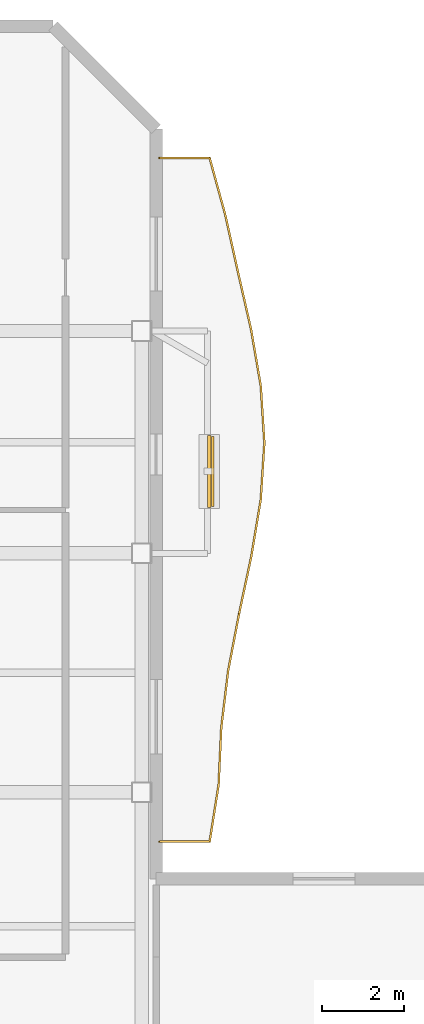
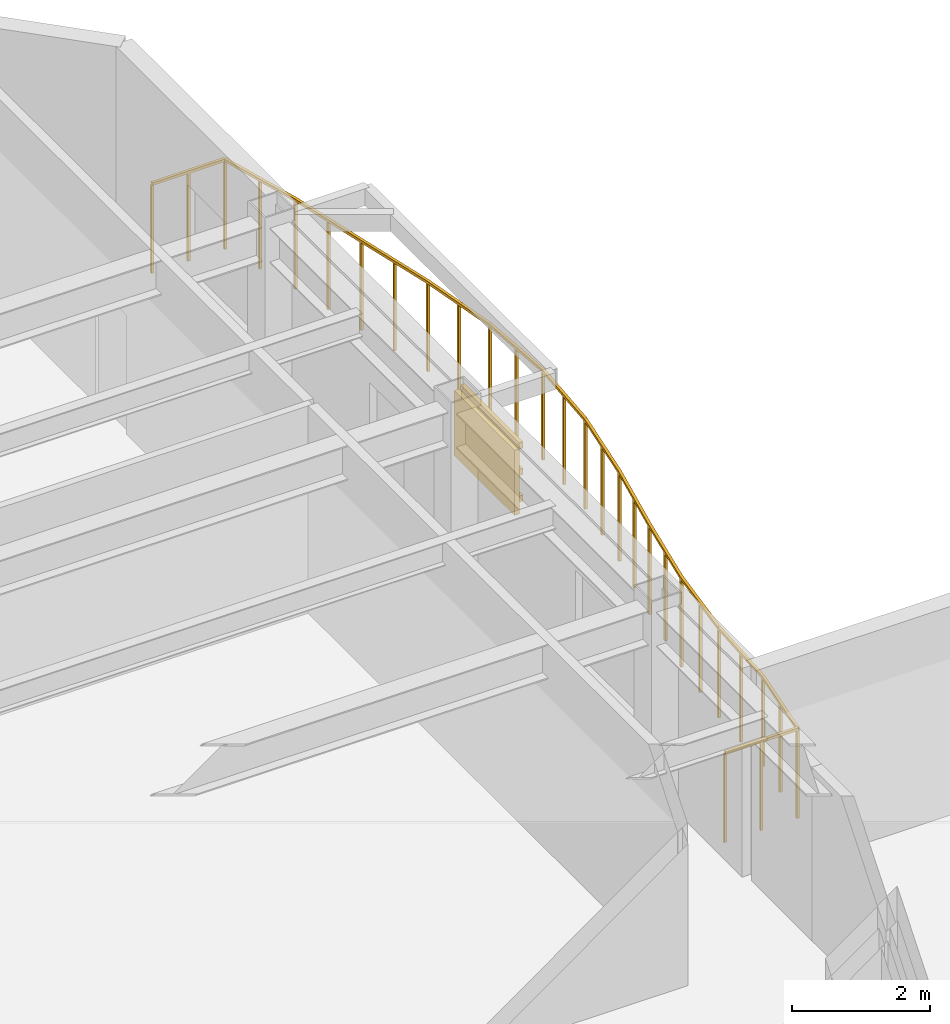
# One storey, part 9 of 9: 4 shading devices, 1 railing.
"""IFC4 building model written with IfcOpenShell, lengths in metres."""

from ifc_helpers import new_model, si_unit, direction, frame, origin, origin_2d, place, context, subcontext, project, spatial, rectangle, extrude, material, layer, layer_set, material_profile, profile_set, type_object, element, save


model = new_model("IFC4")

# Units and contexts
model_context = context("Model", 3, precision=1e-05, world=origin(), true_north=direction((0.0, 1.0)))
body_context = subcontext(model_context, "Body", "Model", "MODEL_VIEW")
ifc_project = project(units=[si_unit("LENGTHUNIT", "METRE"), si_unit("AREAUNIT", "SQUARE_METRE"), si_unit("VOLUMEUNIT", "CUBIC_METRE"), si_unit("PLANEANGLEUNIT", "RADIAN"), si_unit("MASSUNIT", "GRAM", prefix="KILO")], contexts=[model_context])

# Site, building, storey
site_placement = place(None, origin())
site = spatial("IfcSite", under=ifc_project, at=site_placement, CompositionType="ELEMENT")
building_placement = place(site_placement, origin())
building = spatial("IfcBuilding", under=site, at=building_placement, Name="Mawjaban Terraces University", CompositionType="ELEMENT")
storey_placement = place(building_placement, frame((0.0, 0.0, 126.800048828125)))
storey = spatial("IfcBuildingStorey", under=building, at=storey_placement, Name="L30", CompositionType="ELEMENT", Elevation=126.800048828125)

# Railing
ifc_material_1 = material(Name="Galvanised powder-coated steel S355", Category="steel")
railing_type = type_object("IfcRailingType", Name="BalconyBalustrade_1600", PredefinedType="BALUSTRADE", material=ifc_material_1)
railing_placement = place(storey_placement, frame((38.080078125, 28.800048828125, 0.0)))
element("IfcRailing", 1, at=railing_placement, inside=storey, type_object=railing_type, Name="L30 Balcony Guardrail inner_east", PredefinedType="BALUSTRADE", context=body_context, shape_type="SweptSolid", body=[
    extrude(rectangle(XDim=0.048095703125, YDim=0.048095703125, at=origin_2d()), frame((0.0, 0.0, 1.576171875), z_axis=(1.0, 0.0, 0.0), x_axis=(0.0, 1.0, 0.0)), (0.0, 0.0, 1.0), 1.219970703125),
    extrude(rectangle(XDim=0.048095703125, YDim=0.048095703125, at=origin_2d()), frame((1.219970703125, 0.0, 1.576171875), z_axis=(0.156392308887, 0.987695016552, 0.0), x_axis=(-0.987695016552, 0.156392308887, 0.0)), (0.0, 0.0, 1.0), 1.400390625),
    extrude(rectangle(XDim=0.048095703125, YDim=0.048095703125, at=origin_2d()), frame((1.43896484375, 1.383056640625, 1.576171875), z_axis=(0.046175112999, 0.99893336061, 0.0), x_axis=(-0.99893336061, 0.046175112999, 0.0)), (0.0, 0.0, 1.0), 1.38525390625),
    extrude(rectangle(XDim=0.048095703125, YDim=0.048095703125, at=origin_2d()), frame((1.5029296875, 2.766845703125, 1.576171875), z_axis=(0.119870788865, 0.992789501343, 0.0), x_axis=(-0.992789501343, 0.119870788865, 0.0)), (0.0, 0.0, 1.0), 1.39306640625),
    extrude(rectangle(XDim=0.048095703125, YDim=0.048095703125, at=origin_2d()), frame((1.669921875, 4.14990234375, 1.576171875), z_axis=(0.188107853419, 0.982148377529, 0.0), x_axis=(-0.982148377529, 0.188107853419, 0.0)), (0.0, 0.0, 1.0), 1.408203125),
    extrude(rectangle(XDim=0.048095703125, YDim=0.048095703125, at=origin_2d()), frame((1.934814453125, 5.532958984375, 1.576171875), z_axis=(0.208574667997, 0.97800644572, 0.0), x_axis=(-0.97800644572, 0.208574667997, 0.0)), (0.0, 0.0, 1.0), 1.4150390625),
    extrude(rectangle(XDim=0.048095703125, YDim=0.048095703125, at=origin_2d()), frame((2.22998046875, 6.9169921875, 1.576171875), z_axis=(0.164709556573, 0.986342112035, 0.0), x_axis=(-0.986342112035, 0.164709556573, 0.0)), (0.0, 0.0, 1.0), 1.402099609375),
    extrude(rectangle(XDim=0.048095703125, YDim=0.048095703125, at=origin_2d()), frame((2.4609375, 8.300048828125, 1.576171875), z_axis=(0.064133236153, 0.99794134498, 0.0), x_axis=(-0.99794134498, 0.064133236153, 0.0)), (0.0, 0.0, 1.0), 1.3857421875),
    extrude(rectangle(XDim=0.048095703125, YDim=0.048095703125, at=origin_2d()), frame((2.5498046875, 9.682861328125, 1.576171875), z_axis=(-0.063375605657, 0.997989745743, 0.0), x_axis=(-0.997989745743, -0.063375605657, 0.0)), (0.0, 0.0, 1.0), 1.38671875),
    extrude(rectangle(XDim=0.048095703125, YDim=0.048095703125, at=origin_2d()), frame((2.4619140625, 11.06689453125, 1.576171875), z_axis=(-0.16961562862, 0.985510293466, 0.0), x_axis=(-0.985510293466, -0.16961562862, 0.0)), (0.0, 0.0, 1.0), 1.4033203125),
    extrude(rectangle(XDim=0.048095703125, YDim=0.048095703125, at=origin_2d()), frame((2.223876953125, 12.449951171875, 1.576171875), z_axis=(-0.222684617175, 0.974890538098, 0.0), x_axis=(-0.974890538098, -0.222684617175, 0.0)), (0.0, 0.0, 1.0), 1.418701171875),
    extrude(rectangle(XDim=0.048095703125, YDim=0.048095703125, at=origin_2d()), frame((1.907958984375, 13.8330078125, 1.576171875), z_axis=(-0.216638706116, 0.976251848148, 0.0), x_axis=(-0.976251848148, -0.216638706116, 0.0)), (0.0, 0.0, 1.0), 1.417724609375),
    extrude(rectangle(XDim=0.048095703125, YDim=0.048095703125, at=origin_2d()), frame((1.600830078125, 15.217041015625, 1.576171875), z_axis=(-0.265536257751, 0.964100874297, 0.0), x_axis=(-0.964100874297, -0.265536257751, 0.0)), (0.0, 0.0, 1.0), 1.434326171875),
    extrude(rectangle(XDim=0.048095703125, YDim=0.048095703125, at=origin_2d()), frame((1.219970703125, 16.599853515625, 1.576171875), z_axis=(-1.0, 0.0, 0.0), x_axis=(0.0, -1.0, 0.0)), (0.0, 0.0, 1.0), 1.219970703125),
    extrude(rectangle(XDim=0.0419921875, YDim=0.0419921875, at=origin_2d()), origin(), (0.0, 0.0, 1.0), 1.552001953125),
    extrude(rectangle(XDim=0.0419921875, YDim=0.0419921875, at=origin_2d()), frame((0.60986328125, 0.0, 0.0)), (0.0, 0.0, 1.0), 1.552001953125),
    extrude(rectangle(XDim=0.0419921875, YDim=0.0419921875, at=origin_2d()), frame((1.219970703125, 0.0, 0.0)), (0.0, 0.0, 1.0), 1.552001953125),
    extrude(rectangle(XDim=0.0419921875, YDim=0.0419921875, at=origin_2d()), frame((1.32958984375, 0.69140625, 0.0)), (0.0, 0.0, 1.0), 1.552001953125),
    extrude(rectangle(XDim=0.0419921875, YDim=0.0419921875, at=origin_2d()), frame((1.43896484375, 1.383056640625, 0.0)), (0.0, 0.0, 1.0), 1.552001953125),
    extrude(rectangle(XDim=0.0419921875, YDim=0.0419921875, at=origin_2d()), frame((1.470947265625, 2.074951171875, 0.0)), (0.0, 0.0, 1.0), 1.552001953125),
    extrude(rectangle(XDim=0.0419921875, YDim=0.0419921875, at=origin_2d()), frame((1.5029296875, 2.766845703125, 0.0)), (0.0, 0.0, 1.0), 1.552001953125),
    extrude(rectangle(XDim=0.0419921875, YDim=0.0419921875, at=origin_2d()), frame((1.58642578125, 3.45849609375, 0.0)), (0.0, 0.0, 1.0), 1.552001953125),
    extrude(rectangle(XDim=0.0419921875, YDim=0.0419921875, at=origin_2d()), frame((1.669921875, 4.14990234375, 0.0)), (0.0, 0.0, 1.0), 1.552001953125),
    extrude(rectangle(XDim=0.0419921875, YDim=0.0419921875, at=origin_2d()), frame((1.80224609375, 4.84130859375, 0.0)), (0.0, 0.0, 1.0), 1.552001953125),
    extrude(rectangle(XDim=0.0419921875, YDim=0.0419921875, at=origin_2d()), frame((1.934814453125, 5.532958984375, 0.0)), (0.0, 0.0, 1.0), 1.552001953125),
    extrude(rectangle(XDim=0.0419921875, YDim=0.0419921875, at=origin_2d()), frame((2.08251953125, 6.22509765625, 0.0)), (0.0, 0.0, 1.0), 1.552001953125),
    extrude(rectangle(XDim=0.0419921875, YDim=0.0419921875, at=origin_2d()), frame((2.22998046875, 6.9169921875, 0.0)), (0.0, 0.0, 1.0), 1.552001953125),
    extrude(rectangle(XDim=0.0419921875, YDim=0.0419921875, at=origin_2d()), frame((2.345458984375, 7.6083984375, 0.0)), (0.0, 0.0, 1.0), 1.552001953125),
    extrude(rectangle(XDim=0.0419921875, YDim=0.0419921875, at=origin_2d()), frame((2.4609375, 8.300048828125, 0.0)), (0.0, 0.0, 1.0), 1.552001953125),
    extrude(rectangle(XDim=0.0419921875, YDim=0.0419921875, at=origin_2d()), frame((2.50537109375, 8.991455078125, 0.0)), (0.0, 0.0, 1.0), 1.552001953125),
    extrude(rectangle(XDim=0.0419921875, YDim=0.0419921875, at=origin_2d()), frame((2.5498046875, 9.682861328125, 0.0)), (0.0, 0.0, 1.0), 1.552001953125),
    extrude(rectangle(XDim=0.0419921875, YDim=0.0419921875, at=origin_2d()), frame((2.505859375, 10.375, 0.0)), (0.0, 0.0, 1.0), 1.552001953125),
    extrude(rectangle(XDim=0.0419921875, YDim=0.0419921875, at=origin_2d()), frame((2.4619140625, 11.06689453125, 0.0)), (0.0, 0.0, 1.0), 1.552001953125),
    extrude(rectangle(XDim=0.0419921875, YDim=0.0419921875, at=origin_2d()), frame((2.3427734375, 11.75830078125, 0.0)), (0.0, 0.0, 1.0), 1.552001953125),
    extrude(rectangle(XDim=0.0419921875, YDim=0.0419921875, at=origin_2d()), frame((2.223876953125, 12.449951171875, 0.0)), (0.0, 0.0, 1.0), 1.552001953125),
    extrude(rectangle(XDim=0.0419921875, YDim=0.0419921875, at=origin_2d()), frame((2.06591796875, 13.1416015625, 0.0)), (0.0, 0.0, 1.0), 1.552001953125),
    extrude(rectangle(XDim=0.0419921875, YDim=0.0419921875, at=origin_2d()), frame((1.907958984375, 13.8330078125, 0.0)), (0.0, 0.0, 1.0), 1.552001953125),
    extrude(rectangle(XDim=0.0419921875, YDim=0.0419921875, at=origin_2d()), frame((1.75439453125, 14.52490234375, 0.0)), (0.0, 0.0, 1.0), 1.552001953125),
    extrude(rectangle(XDim=0.0419921875, YDim=0.0419921875, at=origin_2d()), frame((1.600830078125, 15.217041015625, 0.0)), (0.0, 0.0, 1.0), 1.552001953125),
    extrude(rectangle(XDim=0.0419921875, YDim=0.0419921875, at=origin_2d()), frame((1.410400390625, 15.908447265625, 0.0)), (0.0, 0.0, 1.0), 1.552001953125),
    extrude(rectangle(XDim=0.0419921875, YDim=0.0419921875, at=origin_2d()), frame((1.219970703125, 16.599853515625, 0.0)), (0.0, 0.0, 1.0), 1.552001953125),
    extrude(rectangle(XDim=0.0419921875, YDim=0.0419921875, at=origin_2d()), frame((0.60986328125, 16.599853515625, 0.0)), (0.0, 0.0, 1.0), 1.552001953125),
    extrude(rectangle(XDim=0.0419921875, YDim=0.0419921875, at=origin_2d()), frame((0.0, 16.599853515625, 0.0)), (0.0, 0.0, 1.0), 1.552001953125),
])

# Shading devices
ifc_material_2 = material(Name="Glazed architectural terracotta ceramic", Category="masonry")
ifc_material_profile = material_profile(ifc_material_2, rectangle(XDim=0.06494140625, YDim=0.110107421875, at=origin_2d()), Name="TBAG110X65")
ifc_profile_set = profile_set([ifc_material_profile], Name="Glazed architectural terracotta ceramic")
shading_device_type_1 = type_object("IfcShadingDeviceType", Name="TerracottaBaguette_110x65", PredefinedType="USERDEFINED", material=ifc_profile_set)
for number, where, z_axis, x_axis, name in (
    (2, (39.373046875, 36.94091796875, 0.679931640625), (0.0, 1.0, 0.0), (-1.0, 0.0, 0.0), "L30 Horizontal Terracotta Baguette inner_east.1"),
    (3, (39.373046875, 36.94091796875, 1.14990234375), (0.0, 1.0, 0.0), (-1.0, 0.0, 0.0), "L30 Horizontal Terracotta Baguette inner_east.2"),
    (4, (39.373046875, 36.94091796875, 1.619873046875), (0.0, 1.0, 0.0), (-1.0, 0.0, 0.0), "L30 Horizontal Terracotta Baguette inner_east.3"),
):
    element("IfcShadingDevice", number, at=place(storey_placement, frame(where, z_axis=z_axis, x_axis=x_axis)), inside=storey, type_object=shading_device_type_1, Name=name, ObjectType="BAGUETTE", PredefinedType="USERDEFINED", context=body_context, shape_type="SweptSolid", body=[
        extrude(rectangle(XDim=0.06494140625, YDim=0.110107421875, at=origin_2d()), origin(), (0.0, 0.0, 1.0), 1.7001953125),
    ])
ifc_layer = layer(ifc_material_2, 0.080078125)
ifc_layer_set = layer_set([ifc_layer], Name="Glazed architectural terracotta ceramic")
shading_device_type_2 = type_object("IfcShadingDeviceType", Name="TerracottaScreen_Perforated", PredefinedType="USERDEFINED", material=ifc_layer_set)
shading_device_placement = place(storey_placement, frame((39.2880859375, 37.791015625, 0.43994140625), z_axis=(0.0, 0.0, 1.0), x_axis=(0.0, 1.0, 0.0)))
element("IfcShadingDevice", 5, at=shading_device_placement, inside=storey, type_object=shading_device_type_2, Name="L30 Balcony Perforated Terracotta Screen inner_east", ObjectType="SCREEN", PredefinedType="USERDEFINED", context=body_context, shape_type="SweptSolid", body=[
    extrude(rectangle(XDim=1.75, YDim=0.080078125, at=origin_2d()), origin(), (0.0, 0.0, 1.0), 1.14990234375),
])

save(model, "model.ifc")
